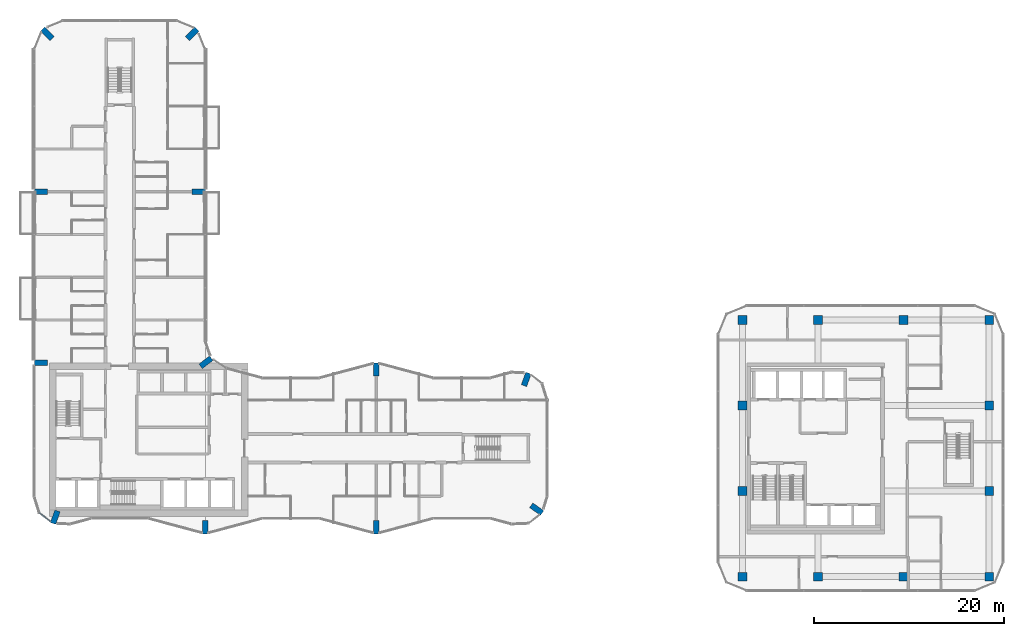
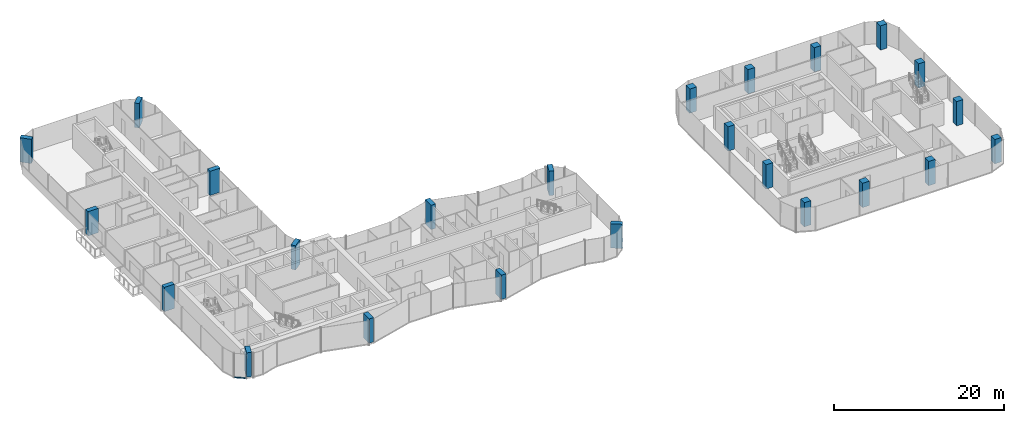
# One storey, part 1 of 23: 24 columns, 1 member, 1 element without a shape of its own.
"""IFC4 building model written with IfcOpenShell, lengths in metres."""

from ifc_helpers import new_model, si_unit, direction, frame, origin, origin_2d, place, context, subcontext, project, spatial, rectangle, extrude, material, layer, layer_set, material_profile, profile_set, type_object, element, aggregate, save


model = new_model("IFC4")

# Units and contexts
model_context = context("Model", 3, precision=1e-05, world=origin(), true_north=direction((0.0, 1.0)))
body_context = subcontext(model_context, "Body", "Model", "MODEL_VIEW")
ifc_project = project(units=[si_unit("LENGTHUNIT", "METRE"), si_unit("AREAUNIT", "SQUARE_METRE"), si_unit("VOLUMEUNIT", "CUBIC_METRE"), si_unit("PLANEANGLEUNIT", "RADIAN"), si_unit("MASSUNIT", "GRAM", prefix="KILO")], contexts=[model_context])

# Site, building, storey
site_placement = place(None, origin())
site = spatial("IfcSite", under=ifc_project, at=site_placement, CompositionType="ELEMENT")
building_placement = place(site_placement, origin())
building = spatial("IfcBuilding", under=site, at=building_placement, Name="Plateau Cross Towers", CompositionType="ELEMENT")
storey_placement = place(building_placement, frame((0.0, 0.0, 92.300048828125)))
storey = spatial("IfcBuildingStorey", under=building, at=storey_placement, Name="L23", CompositionType="ELEMENT", Elevation=92.300048828125)

# Columns
ifc_material_1 = material(Name="Concrete C60/75", Category="concrete")
ifc_material_profile_1 = material_profile(ifc_material_1, rectangle(XDim=0.60009765625, YDim=1.39990234375, at=origin_2d()), Name="RC 600x1400")
ifc_profile_set_1 = profile_set([ifc_material_profile_1], Name="Concrete C60/75")
column_type_1 = type_object("IfcColumnType", Name="Fin pier column RC 600x1400", PredefinedType="COLUMN", material=ifc_profile_set_1)
for number, where, z_axis, x_axis, name in (
    (1, (18.0, 0.699951171875, 0.0), (0.0, 0.0, 1.0), (1.0, 0.0, 0.0), "PR1 L23"),
    (2, (36.0, 0.699951171875, 0.0), (0.0, 0.0, 1.0), (1.0, 0.0, 0.0), "PR2 L23"),
    (3, (52.884033203125, 2.590087890625, 0.0), (0.0, 0.0, 1.0), (0.573542637991, 0.819175709117, 0.0), "PR3 L23"),
    (4, (51.786865234375, 16.251953125, 0.0), (0.0, 0.0, 1.0), (-0.939664280925, 0.342097996418, 0.0), "PR4 L23"),
    (5, (36.0, 17.300048828125, 0.0), (0.0, 0.0, 1.0), (1.0, 0.0, 0.0), "PR5 L23"),
    (6, (18.064697265625, 18.049560546875, 0.0), (0.0, 0.0, 1.0), (-0.608810846443, 0.793315418515, 0.0), "PR6 L23"),
    (7, (17.300048828125, 36.0, 0.0), (0.0, 0.0, 1.0), (0.0, 1.0, 0.0), "PR7 L23"),
    (8, (16.62646484375, 52.62646484375, 0.0), (0.0, 0.0, 1.0), (-0.707106781187, 0.707106781187, 0.0), "PR8 L23"),
    (9, (1.37353515625, 52.62646484375, 0.0), (0.0, 0.0, 1.0), (0.707106781187, 0.707106781187, 0.0), "PR9 L23"),
    (10, (0.699951171875, 36.0, 0.0), (0.0, 0.0, 1.0), (0.0, 1.0, 0.0), "PR10 L23"),
    (11, (0.699951171875, 18.0, 0.0), (0.0, 0.0, 1.0), (0.0, 1.0, 0.0), "PR11 L23"),
    (12, (2.213134765625, 1.748046875, 0.0), (0.0, 0.0, 1.0), (-0.939664280925, 0.342097996418, 0.0), "PR12 L23"),
):
    element("IfcColumn", number, at=place(storey_placement, frame(where, z_axis=z_axis, x_axis=x_axis)), inside=storey, type_object=column_type_1, Name=name, PredefinedType="COLUMN", context=body_context, shape_type="SweptSolid", body=[
        extrude(rectangle(XDim=0.60009765625, YDim=1.39990234375, at=origin_2d()), origin(), (0.0, 0.0, 1.0), 3.5),
    ])
ifc_material_profile_2 = material_profile(ifc_material_1, rectangle(XDim=0.89990234375, YDim=0.89990234375, at=origin_2d()), Name="RC 900x900")
ifc_profile_set_2 = profile_set([ifc_material_profile_2], Name="Concrete C60/75")
column_type_2 = type_object("IfcColumnType", Name="Office column RC 900x900", PredefinedType="COLUMN", material=ifc_profile_set_2)
for number, where, z_axis, x_axis, name in (
    (13, (74.550048828125, -4.5, 0.0), (0.0, 0.0, 1.0), (1.0, 0.0, 0.0), "B-C746_-45 L23"),
    (14, (82.5, -4.5, 0.0), (0.0, 0.0, 1.0), (1.0, 0.0, 0.0), "B-C825_-45 L23"),
    (15, (91.5, -4.5, 0.0), (0.0, 0.0, 1.0), (1.0, 0.0, 0.0), "B-C915_-45 L23"),
    (16, (100.5, -4.5, 0.0), (0.0, 0.0, 1.0), (1.0, 0.0, 0.0), "B-C1005_-45 L23"),
    (17, (100.5, 4.5, 0.0), (0.0, 0.0, 1.0), (1.0, 0.0, 0.0), "B-C1005_45 L23"),
    (18, (100.5, 13.5, 0.0), (0.0, 0.0, 1.0), (1.0, 0.0, 0.0), "B-C1005_135 L23"),
    (19, (100.5, 22.5, 0.0), (0.0, 0.0, 1.0), (1.0, 0.0, 0.0), "B-C1005_225 L23"),
    (20, (91.5, 22.5, 0.0), (0.0, 0.0, 1.0), (1.0, 0.0, 0.0), "B-C915_225 L23"),
    (21, (82.5, 22.5, 0.0), (0.0, 0.0, 1.0), (1.0, 0.0, 0.0), "B-C825_225 L23"),
    (22, (74.550048828125, 22.5, 0.0), (0.0, 0.0, 1.0), (1.0, 0.0, 0.0), "B-C746_225 L23"),
    (23, (74.550048828125, 13.5, 0.0), (0.0, 0.0, 1.0), (1.0, 0.0, 0.0), "B-C746_135 L23"),
    (24, (74.550048828125, 4.5, 0.0), (0.0, 0.0, 1.0), (1.0, 0.0, 0.0), "B-C746_45 L23"),
):
    element("IfcColumn", number, at=place(storey_placement, frame(where, z_axis=z_axis, x_axis=x_axis)), inside=storey, type_object=column_type_2, Name=name, PredefinedType="COLUMN", context=body_context, shape_type="SweptSolid", body=[
        extrude(rectangle(XDim=0.89990234375, YDim=0.89990234375, at=origin_2d()), origin(), (0.0, 0.0, 1.0), 3.5),
    ])

# Curtain wall, member
ifc_material_2 = material(Name="Dark low-iron glass", Category="glass")
ifc_layer = layer(ifc_material_2, 0.239990234375)
ifc_layer_set = layer_set([ifc_layer], Name="Dark low-iron glass")
curtain_wall_type = type_object("IfcCurtainWallType", Name="Curtain wall flush unitised CW-B", PredefinedType="NOTDEFINED", material=ifc_layer_set)
curtain_wall_placement = place(storey_placement, origin())
curtain_wall = element("IfcCurtainWall", 25, at=curtain_wall_placement, inside=storey, type_object=curtain_wall_type, Name="ENV/A/L23/A5_22", PredefinedType="NOTDEFINED")
ifc_material_3 = material(Name="Black anodised aluminium", Category="aluminium")
ifc_material_profile_3 = material_profile(ifc_material_3, rectangle(XDim=0.10009765625, YDim=0.1201171875, at=origin_2d()), Name="TRANSOM 100x120")
ifc_profile_set_3 = profile_set([ifc_material_profile_3], Name="Black anodised aluminium")
member_type = type_object("IfcMemberType", Name="Transom 100x120 flush unitised", PredefinedType="USERDEFINED", material=ifc_profile_set_3)
member_placement = place(storey_placement, frame((0.54248046875, 2.1884765625, -0.18994140625), z_axis=(0.793320508571, -0.608804213751, 0.0), x_axis=(0.608804213751, 0.793320508571, 0.0)))
member = element("IfcMember", 26, at=member_placement, type_object=member_type, Name="CW-B transom", ObjectType="TRANSOM", PredefinedType="USERDEFINED", context=body_context, shape_type="SweptSolid", body=[
    extrude(rectangle(XDim=0.10009765625, YDim=0.1201171875, at=origin_2d()), origin(), (0.0, 0.0, 1.0), 1.471435546875),
])
aggregate(curtain_wall, [member])

save(model, "model.ifc")
